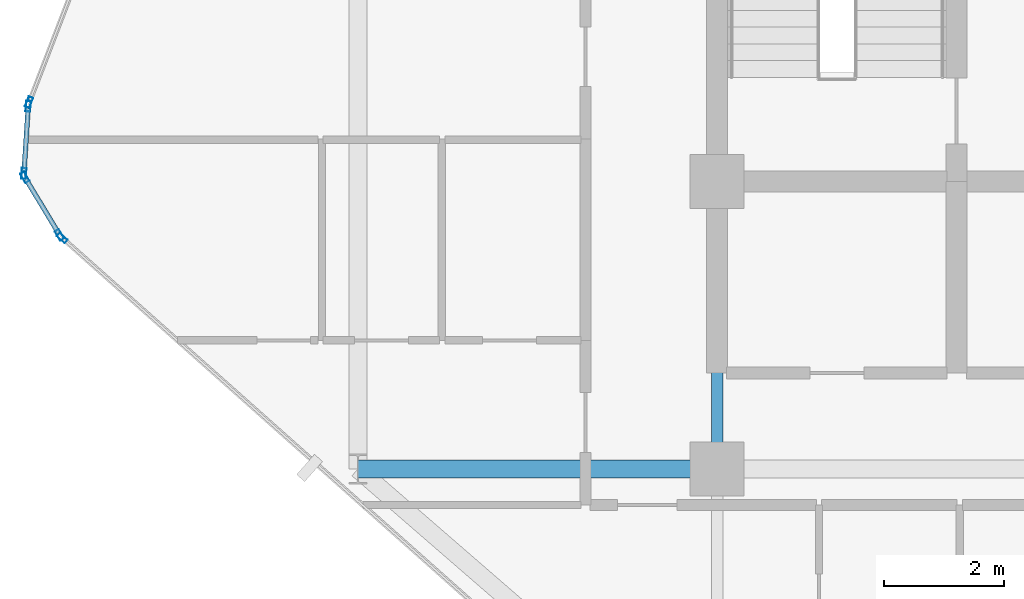
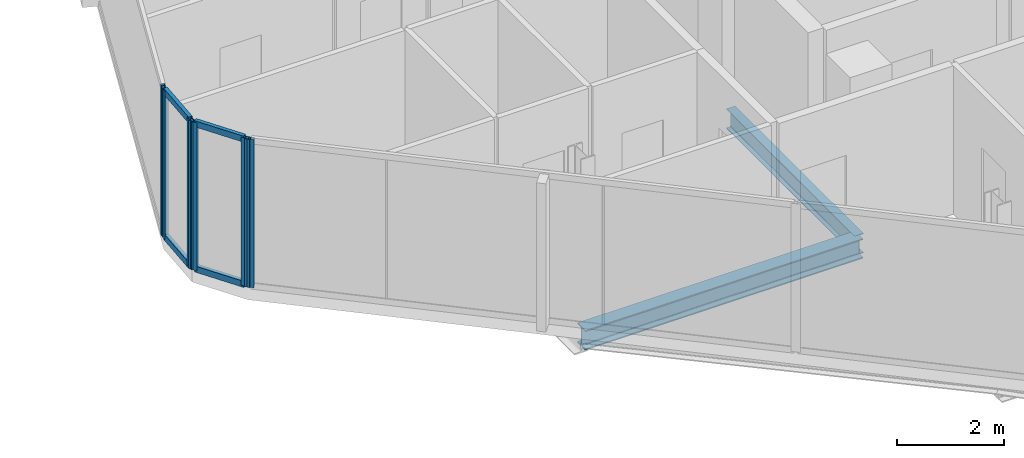
# One storey, part 7 of 31: 10 members, 2 beams, 4 elements without a shape of their own.
"""IFC4 building model written with IfcOpenShell, lengths in metres."""

from ifc_helpers import new_model, si_unit, direction, frame, origin, origin_2d, place, context, subcontext, project, spatial, hollow_rectangle, i_section, extrude, material, layer, layer_set, material_profile, profile_set, type_object, element, aggregate, save


model = new_model("IFC4")

# Units and contexts
model_context = context("Model", 3, precision=1e-05, world=origin(), true_north=direction((0.0, 1.0)))
body_context = subcontext(model_context, "Body", "Model", "MODEL_VIEW")
ifc_project = project(units=[si_unit("LENGTHUNIT", "METRE"), si_unit("AREAUNIT", "SQUARE_METRE"), si_unit("VOLUMEUNIT", "CUBIC_METRE"), si_unit("PLANEANGLEUNIT", "RADIAN"), si_unit("MASSUNIT", "GRAM", prefix="KILO")], contexts=[model_context])

# Site, building, storey
site_placement = place(None, origin())
site = spatial("IfcSite", under=ifc_project, at=site_placement, CompositionType="ELEMENT")
building_placement = place(site_placement, origin())
building = spatial("IfcBuilding", under=site, at=building_placement, Name="Keshet Zoharim Tower", CompositionType="ELEMENT")
storey_placement = place(building_placement, frame((0.0, 0.0, 133.5)))
storey = spatial("IfcBuildingStorey", under=building, at=storey_placement, Name="L32", CompositionType="ELEMENT", Elevation=133.5)

# Beams
ifc_material_1 = material(Name="Steel S355", Category="steel")
ifc_material_profile_1 = material_profile(ifc_material_1, i_section(OverallWidth=0.18994140625, OverallDepth=0.449951171875, WebThickness=0.009521484375, FlangeThickness=0.0146484375, FilletRadius=0.02099609375, at=origin_2d()), Name="IPE450")
ifc_profile_set_1 = profile_set([ifc_material_profile_1], Name="Steel S355")
beam_type_1 = type_object("IfcBeamType", Name="BM-PRI-IP450", PredefinedType="BEAM", material=ifc_profile_set_1)
beam_1_placement = place(storey_placement, frame((15.0, 17.89990234375, -0.5400390625), z_axis=(0.0, 1.0, 0.0), x_axis=(-1.0, 0.0, 0.0)))
element("IfcBeam", 1, at=beam_1_placement, inside=storey, type_object=beam_type_1, Name="L32 Primary Girder Y-003", PredefinedType="BEAM", context=body_context, shape_type="SweptSolid", body=[
    extrude(i_section(OverallWidth=0.18994140625, OverallDepth=0.449951171875, WebThickness=0.009521484375, FlangeThickness=0.0146484375, FilletRadius=0.02099609375, at=origin_2d()), origin(), (0.0, 0.0, 1.0), 4.800048828125),
])
ifc_material_profile_2 = material_profile(ifc_material_1, i_section(OverallWidth=0.300048828125, OverallDepth=0.449951171875, WebThickness=0.013916015625, FlangeThickness=0.02587890625, FilletRadius=0.027099609375, at=origin_2d()), Name="HEB450")
ifc_profile_set_2 = profile_set([ifc_material_profile_2], Name="Steel S355")
beam_type_2 = type_object("IfcBeamType", Name="BM-WEB-HB450", PredefinedType="BEAM", material=ifc_profile_set_2)
beam_2_placement = place(storey_placement, frame((9.0, 17.89990234375, -0.5400390625), z_axis=(1.0, 0.0, 0.0), x_axis=(0.0, 1.0, 0.0)))
element("IfcBeam", 2, at=beam_2_placement, inside=storey, type_object=beam_type_2, Name="L32 Primary Girder X-011", PredefinedType="BEAM", context=body_context, shape_type="SweptSolid", body=[
    extrude(i_section(OverallWidth=0.300048828125, OverallDepth=0.449951171875, WebThickness=0.013916015625, FlangeThickness=0.02587890625, FilletRadius=0.027099609375, at=origin_2d()), origin(), (0.0, 0.0, 1.0), 6.0),
])

# Curtain wall, member
ifc_material_2 = material(Name="Aluminium 6063-T6", Category="aluminium")
ifc_layer = layer(ifc_material_2, 0.159912109375)
ifc_layer_set = layer_set([ifc_layer], Name="Aluminium 6063-T6")
curtain_wall_type = type_object("IfcCurtainWallType", Name="CW-SYS-03", PredefinedType="NOTDEFINED", material=ifc_layer_set)
curtain_wall_1_placement = place(storey_placement, origin())
curtain_wall_1 = element("IfcCurtainWall", 3, at=curtain_wall_1_placement, inside=storey, type_object=curtain_wall_type, Name="L32 Unitised Curtain Wall 07 Part 2", PredefinedType="NOTDEFINED")
ifc_material_profile_3 = material_profile(ifc_material_2, hollow_rectangle(XDim=0.080078125, YDim=0.179931640625, WallThickness=0.00439453125, at=origin_2d()), Name="MUL-80x180")
ifc_profile_set_3 = profile_set([ifc_material_profile_3], Name="Aluminium 6063-T6")
member_type_1 = type_object("IfcMemberType", Name="CWM-M18", PredefinedType="MULLION", material=ifc_profile_set_3)
member_1_placement = place(storey_placement, frame((4.061279296875, 21.7568359375, 0.0), z_axis=(0.0, 0.0, 1.0), x_axis=(-0.664363542589, -0.747409582009, 0.0)))
member_1 = element("IfcMember", 4, at=member_1_placement, type_object=member_type_1, Name="CW-03 mullion 3", PredefinedType="MULLION", context=body_context, shape_type="SweptSolid", body=[
    extrude(hollow_rectangle(XDim=0.080078125, YDim=0.179931640625, WallThickness=0.00439453125, at=origin_2d()), origin(), (0.0, 0.0, 1.0), 3.385009765625),
])
aggregate(curtain_wall_1, [member_1])

# Curtain wall, members
curtain_wall_2_placement = place(storey_placement, origin())
curtain_wall_2 = element("IfcCurtainWall", 5, at=curtain_wall_2_placement, inside=storey, type_object=curtain_wall_type, Name="L32 Unitised Curtain Wall 08", PredefinedType="NOTDEFINED")
member_2_placement = place(storey_placement, frame((4.016845703125, 21.81005859375, 0.0), z_axis=(0.0, 0.0, 1.0), x_axis=(-0.856826433805, -0.515604947933, 0.0)))
member_2 = element("IfcMember", 6, at=member_2_placement, type_object=member_type_1, Name="CW-03 mullion 1", PredefinedType="MULLION", context=body_context, shape_type="SweptSolid", body=[
    extrude(hollow_rectangle(XDim=0.080078125, YDim=0.179931640625, WallThickness=0.00439453125, at=origin_2d()), origin(), (0.0, 0.0, 1.0), 3.385009765625),
])
member_3_placement = place(storey_placement, frame((3.43798828125, 22.77197265625, 0.0), z_axis=(0.0, 0.0, 1.0), x_axis=(-0.856826433805, -0.515604947933, 0.0)))
member_3 = element("IfcMember", 7, at=member_3_placement, type_object=member_type_1, Name="CW-03 mullion 2", PredefinedType="MULLION", context=body_context, shape_type="SweptSolid", body=[
    extrude(hollow_rectangle(XDim=0.080078125, YDim=0.179931640625, WallThickness=0.00439453125, at=origin_2d()), origin(), (0.0, 0.0, 1.0), 3.385009765625),
])

curtain_wall_3_placement = place(storey_placement, origin())
curtain_wall_3 = element("IfcCurtainWall", 8, at=curtain_wall_3_placement, inside=storey, type_object=curtain_wall_type, Name="L32 Unitised Curtain Wall 09", PredefinedType="NOTDEFINED")
member_4_placement = place(storey_placement, frame((3.42236328125, 22.8369140625, 0.0), z_axis=(0.0, 0.0, 1.0), x_axis=(-0.997916617186, 0.064516859374, 0.0)))
member_4 = element("IfcMember", 9, at=member_4_placement, type_object=member_type_1, Name="CW-03 mullion 1", PredefinedType="MULLION", context=body_context, shape_type="SweptSolid", body=[
    extrude(hollow_rectangle(XDim=0.080078125, YDim=0.179931640625, WallThickness=0.00439453125, at=origin_2d()), origin(), (0.0, 0.0, 1.0), 3.385009765625),
])
member_5_placement = place(storey_placement, frame((3.49462890625, 23.9580078125, 0.0), z_axis=(0.0, 0.0, 1.0), x_axis=(-0.997916617186, 0.064516859374, 0.0)))
member_5 = element("IfcMember", 10, at=member_5_placement, type_object=member_type_1, Name="CW-03 mullion 2", PredefinedType="MULLION", context=body_context, shape_type="SweptSolid", body=[
    extrude(hollow_rectangle(XDim=0.080078125, YDim=0.179931640625, WallThickness=0.00439453125, at=origin_2d()), origin(), (0.0, 0.0, 1.0), 3.385009765625),
])

# Curtain wall, member
curtain_wall_4_placement = place(storey_placement, origin())
curtain_wall_4 = element("IfcCurtainWall", 11, at=curtain_wall_4_placement, inside=storey, type_object=curtain_wall_type, Name="L32 Unitised Curtain Wall 10", PredefinedType="NOTDEFINED")
member_6_placement = place(storey_placement, frame((3.509521484375, 24.025634765625, 0.0), z_axis=(0.0, 0.0, 1.0), x_axis=(-0.933341404361, 0.358990003907, 0.0)))
member_6 = element("IfcMember", 12, at=member_6_placement, type_object=member_type_1, Name="CW-03 mullion 1", PredefinedType="MULLION", context=body_context, shape_type="SweptSolid", body=[
    extrude(hollow_rectangle(XDim=0.080078125, YDim=0.179931640625, WallThickness=0.00439453125, at=origin_2d()), origin(), (0.0, 0.0, 1.0), 3.385009765625),
])
aggregate(curtain_wall_4, [member_6])

# Member
ifc_material_profile_4 = material_profile(ifc_material_2, hollow_rectangle(XDim=0.080078125, YDim=0.139892578125, WallThickness=0.00390625, at=origin_2d()), Name="TRN-80x140")
ifc_profile_set_4 = profile_set([ifc_material_profile_4], Name="Aluminium 6063-T6")
member_type_2 = type_object("IfcMemberType", Name="CWT-T14", PredefinedType="USERDEFINED", material=ifc_profile_set_4)
member_7_placement = place(storey_placement, frame((3.9990234375, 21.840087890625, 0.034912109375), z_axis=(-0.515791194107, 0.856714330499, 0.0), x_axis=(-0.856714330499, -0.515791194107, 0.0)))
member_7 = element("IfcMember", 13, at=member_7_placement, type_object=member_type_2, Name="CW-03 transom 1.1", ObjectType="TRANSOM", PredefinedType="USERDEFINED", context=body_context, shape_type="SweptSolid", body=[
    extrude(hollow_rectangle(XDim=0.080078125, YDim=0.139892578125, WallThickness=0.00390625, at=origin_2d()), origin(), (0.0, 0.0, 1.0), 1.052734375),
])

member_8_placement = place(storey_placement, frame((3.9990234375, 21.840087890625, 3.35009765625), z_axis=(-0.515791194107, 0.856714330499, 0.0), x_axis=(-0.856714330499, -0.515791194107, 0.0)))
member_8 = element("IfcMember", 14, at=member_8_placement, type_object=member_type_2, Name="CW-03 transom 1.2", ObjectType="TRANSOM", PredefinedType="USERDEFINED", context=body_context, shape_type="SweptSolid", body=[
    extrude(hollow_rectangle(XDim=0.080078125, YDim=0.139892578125, WallThickness=0.00390625, at=origin_2d()), origin(), (0.0, 0.0, 1.0), 1.052734375),
])

aggregate(curtain_wall_2, [member_2, member_3, member_7, member_8])

member_9_placement = place(storey_placement, frame((3.424560546875, 22.871826171875, 0.034912109375), z_axis=(0.064426947155, 0.997922426083, 0.0), x_axis=(-0.997922426083, 0.064426947155, 0.0)))
member_9 = element("IfcMember", 15, at=member_9_placement, type_object=member_type_2, Name="CW-03 transom 1.1", ObjectType="TRANSOM", PredefinedType="USERDEFINED", context=body_context, shape_type="SweptSolid", body=[
    extrude(hollow_rectangle(XDim=0.080078125, YDim=0.139892578125, WallThickness=0.00390625, at=origin_2d()), origin(), (0.0, 0.0, 1.0), 1.053466796875),
])

member_10_placement = place(storey_placement, frame((3.424560546875, 22.871826171875, 3.35009765625), z_axis=(0.064426947155, 0.997922426083, 0.0), x_axis=(-0.997922426083, 0.064426947155, 0.0)))
member_10 = element("IfcMember", 16, at=member_10_placement, type_object=member_type_2, Name="CW-03 transom 1.2", ObjectType="TRANSOM", PredefinedType="USERDEFINED", context=body_context, shape_type="SweptSolid", body=[
    extrude(hollow_rectangle(XDim=0.080078125, YDim=0.139892578125, WallThickness=0.00390625, at=origin_2d()), origin(), (0.0, 0.0, 1.0), 1.053466796875),
])

aggregate(curtain_wall_3, [member_4, member_5, member_9, member_10])

save(model, "model.ifc")
